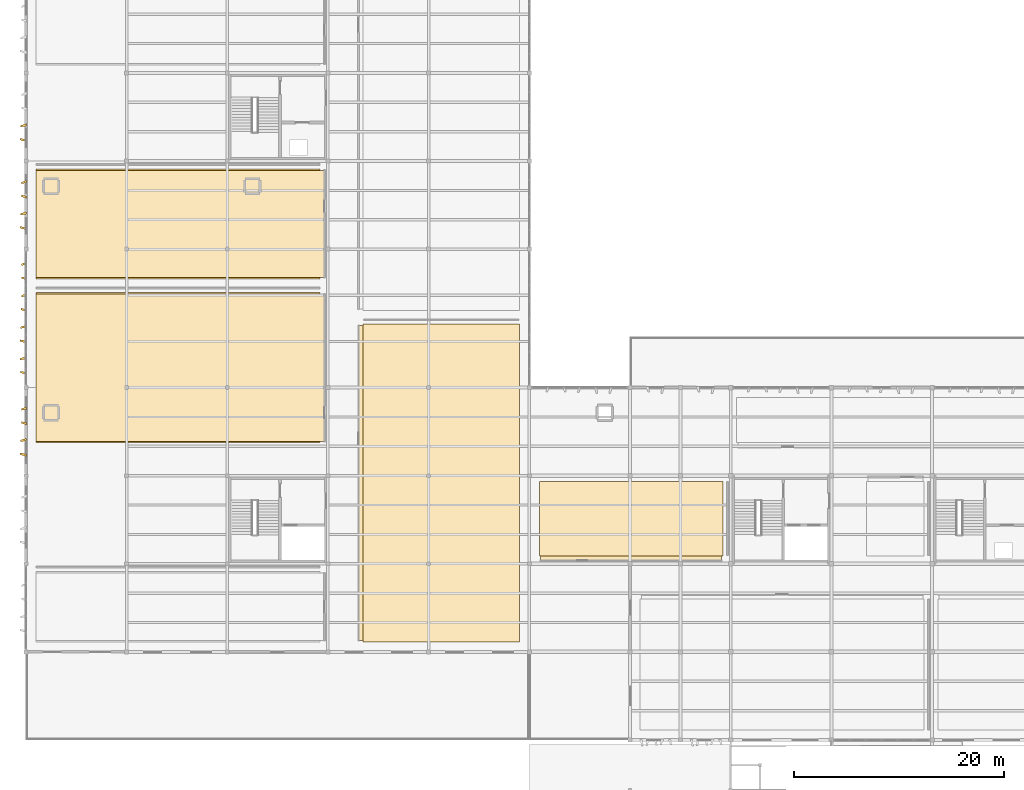
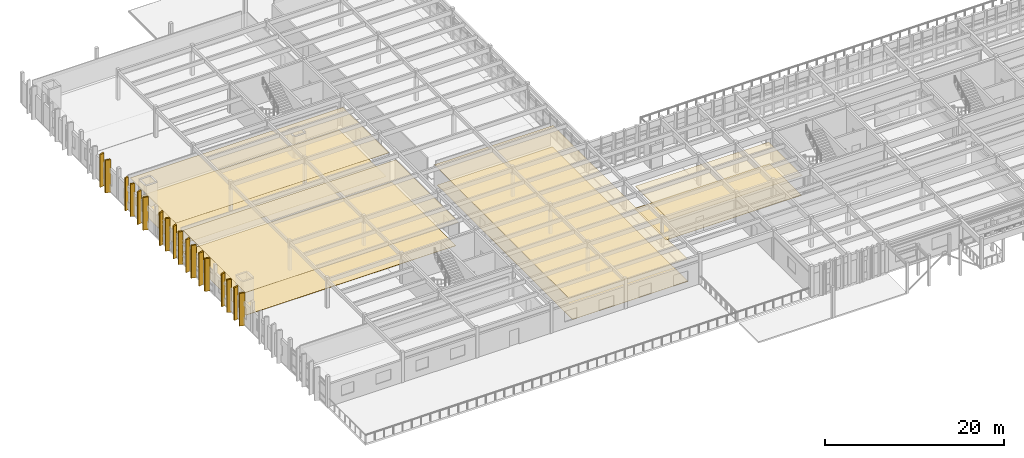
# One storey, part 51 of 61: 26 coverings.
"""IFC4 building model written with IfcOpenShell, lengths in metres."""

from ifc_helpers import new_model, si_unit, direction, frame, origin, place, context, subcontext, project, spatial, polyline, outline, extrude, material, layer, layer_set, type_object, element, save


model = new_model("IFC4")

# Units and contexts
model_context = context("Model", 3, precision=1e-05, world=origin(), true_north=direction((0.0, 1.0)))
body_context = subcontext(model_context, "Body", "Model", "MODEL_VIEW")
ifc_project = project(units=[si_unit("LENGTHUNIT", "METRE"), si_unit("AREAUNIT", "SQUARE_METRE"), si_unit("VOLUMEUNIT", "CUBIC_METRE"), si_unit("PLANEANGLEUNIT", "RADIAN"), si_unit("MASSUNIT", "GRAM", prefix="KILO")], contexts=[model_context])

# Site, building, storey
site_placement = place(None, origin())
site = spatial("IfcSite", under=ifc_project, at=site_placement, CompositionType="ELEMENT")
building_placement = place(site_placement, origin())
building = spatial("IfcBuilding", under=site, at=building_placement, Name="Kolvemor Railside Polytechnic", CompositionType="ELEMENT")
storey_placement = place(building_placement, frame((0.0, 0.0, 10.199951171875)))
storey = spatial("IfcBuildingStorey", under=building, at=storey_placement, Name="L02", CompositionType="ELEMENT", Elevation=10.199951171875)

# Coverings
ifc_material_1 = material(Name="Perforated acoustic mineral-fibre and timber-slat ceiling", Category="wood")
ifc_layer_1 = layer(ifc_material_1, 0.02490234375, Name="COV-CEIL-1")
ifc_layer_set_1 = layer_set([ifc_layer_1], Name="Perforated acoustic mineral-fibre and timber-slat ceiling")
covering_type_1 = type_object("IfcCoveringType", Name="COV-CEIL-1", PredefinedType="CEILING", material=ifc_layer_set_1)
covering_1_placement = place(storey_placement, frame((0.0, 0.0, 3.005126953125)))
element("IfcCovering", 1, at=covering_1_placement, inside=storey, type_object=covering_type_1, Name="Seminar Room 203 Acoustic Ceiling", PredefinedType="CEILING", context=body_context, shape_type="SweptSolid", body=[
    extrude(outline(polyline([(0.949951171875, 48.8798828125), (28.47998046875, 48.8798828125), (28.47998046875, 59.1201171875), (0.949951171875, 59.1201171875), (0.949951171875, 48.8798828125)])), origin(), (0.0, 0.0, 1.0), 0.02490234375),
])
ifc_material_2 = material(Name="Perforated acoustic mineral-fibre and timber-slat ceiling", Category="wood")
ifc_layer_2 = layer(ifc_material_2, 0.030029296875, Name="COV-CEIL-2")
ifc_layer_set_2 = layer_set([ifc_layer_2], Name="Perforated acoustic mineral-fibre and timber-slat ceiling")
covering_type_2 = type_object("IfcCoveringType", Name="COV-CEIL-2", PredefinedType="CEILING", material=ifc_layer_set_2)
covering_2_placement = place(storey_placement, frame((0.0, 0.0, 3.0)))
element("IfcCovering", 2, at=covering_2_placement, inside=storey, type_object=covering_type_2, Name="Urbanism and Coastal Planning Design Studio Acoustic Ceiling", PredefinedType="CEILING", context=body_context, shape_type="SweptSolid", body=[
    extrude(outline(polyline([(31.719970703125, 14.280029296875), (47.050048828125, 14.280029296875), (47.050048828125, 44.320068359375), (31.719970703125, 44.320068359375), (31.719970703125, 14.280029296875)])), origin(), (0.0, 0.0, 1.0), 0.030029296875),
])
ifc_material_3 = material(Name="Perforated acoustic mineral-fibre and timber-slat ceiling", Category="wood")
ifc_layer_3 = layer(ifc_material_3, 0.0400390625, Name="COV-CEIL-4")
ifc_layer_set_3 = layer_set([ifc_layer_3], Name="Perforated acoustic mineral-fibre and timber-slat ceiling")
covering_type_3 = type_object("IfcCoveringType", Name="COV-CEIL-4", PredefinedType="CEILING", material=ifc_layer_set_3)
covering_3_placement = place(storey_placement, frame((0.0, 0.0, 2.989990234375)))
element("IfcCovering", 3, at=covering_3_placement, inside=storey, type_object=covering_type_3, Name="Seminar Room 202 Acoustic Ceiling", PredefinedType="CEILING", context=body_context, shape_type="SweptSolid", body=[
    extrude(outline(polyline([(0.949951171875, 33.280029296875), (28.47998046875, 33.280029296875), (28.47998046875, 47.320068359375), (0.949951171875, 47.320068359375), (0.949951171875, 33.280029296875)])), origin(), (0.0, 0.0, 1.0), 0.0400390625),
])
covering_4_placement = place(storey_placement, frame((0.0, 0.0, 2.989990234375)))
element("IfcCovering", 4, at=covering_4_placement, inside=storey, type_object=covering_type_3, Name="Faculty of Civil Engineering Department Suite Acoustic Ceiling", PredefinedType="CEILING", context=body_context, shape_type="SweptSolid", body=[
    extrude(outline(polyline([(49.080078125, 21.919921875), (66.320068359375, 21.919921875), (66.320068359375, 29.449951171875), (49.080078125, 29.449951171875), (49.080078125, 21.919921875)])), origin(), (0.0, 0.0, 1.0), 0.0400390625),
])
ifc_material_4 = material(Name="Champagne-bronze PVDF-anodised marine aluminium 5052-H32", Category="aluminium")
ifc_layer_4 = layer(ifc_material_4, 0.179931640625, Name="COV-FIN-CHAMP")
ifc_layer_set_4 = layer_set([ifc_layer_4], Name="Champagne-bronze PVDF-anodised marine aluminium 5052-H32")
covering_type_4 = type_object("IfcCoveringType", Name="COV-FIN-CHAMP", PredefinedType="CLADDING", material=ifc_layer_set_4)
covering_5_placement = place(storey_placement, frame((0.0, 0.0, -0.280029296875)))
element("IfcCovering", 5, at=covering_5_placement, inside=storey, type_object=covering_type_4, Name="Pleated Solar Fin L02-0126", PredefinedType="CLADDING", context=body_context, shape_type="SweptSolid", body=[
    extrude(outline(polyline([(0.034912109375, 31.8349609375), (0.034912109375, 32.06494140625), (-0.56396484375, 32.169921875), (-0.56396484375, 32.010009765625), (0.034912109375, 31.8349609375)])), origin(), (0.0, 0.0, 1.0), 4.47998046875),
])
covering_6_placement = place(storey_placement, frame((0.0, 0.0, -0.280029296875)))
element("IfcCovering", 6, at=covering_6_placement, inside=storey, type_object=covering_type_4, Name="Pleated Solar Fin L02-0127", PredefinedType="CLADDING", context=body_context, shape_type="SweptSolid", body=[
    extrude(outline(polyline([(0.034912109375, 33.3349609375), (0.034912109375, 33.56494140625), (-0.528076171875, 33.389892578125), (-0.528076171875, 33.22998046875), (0.034912109375, 33.3349609375)])), origin(), (0.0, 0.0, 1.0), 4.47998046875),
])
covering_7_placement = place(storey_placement, frame((0.0, 0.0, -0.280029296875)))
element("IfcCovering", 7, at=covering_7_placement, inside=storey, type_object=covering_type_4, Name="Pleated Solar Fin L02-0128", PredefinedType="CLADDING", context=body_context, shape_type="SweptSolid", body=[
    extrude(outline(polyline([(0.034912109375, 34.8349609375), (0.034912109375, 35.06494140625), (-0.44189453125, 35.169921875), (-0.44189453125, 35.010009765625), (0.034912109375, 34.8349609375)])), origin(), (0.0, 0.0, 1.0), 4.47998046875),
])
covering_8_placement = place(storey_placement, frame((0.0, 0.0, -0.280029296875)))
element("IfcCovering", 8, at=covering_8_placement, inside=storey, type_object=covering_type_4, Name="Pleated Solar Fin L02-0129", PredefinedType="CLADDING", context=body_context, shape_type="SweptSolid", body=[
    extrude(outline(polyline([(0.034912109375, 36.3349609375), (0.034912109375, 36.56494140625), (-0.406005859375, 36.389892578125), (-0.406005859375, 36.22998046875), (0.034912109375, 36.3349609375)])), origin(), (0.0, 0.0, 1.0), 4.47998046875),
])
covering_9_placement = place(storey_placement, frame((0.0, 0.0, -0.280029296875)))
element("IfcCovering", 9, at=covering_9_placement, inside=storey, type_object=covering_type_4, Name="Pleated Solar Fin L02-0155", PredefinedType="CLADDING", context=body_context, shape_type="SweptSolid", body=[
    extrude(outline(polyline([(0.034912109375, 39.635009765625), (0.034912109375, 39.864990234375), (-0.532958984375, 39.969970703125), (-0.532958984375, 39.81005859375), (0.034912109375, 39.635009765625)])), origin(), (0.0, 0.0, 1.0), 4.47998046875),
])
covering_10_placement = place(storey_placement, frame((0.0, 0.0, -0.280029296875)))
element("IfcCovering", 10, at=covering_10_placement, inside=storey, type_object=covering_type_4, Name="Pleated Solar Fin L02-0156", PredefinedType="CLADDING", context=body_context, shape_type="SweptSolid", body=[
    extrude(outline(polyline([(0.034912109375, 41.135009765625), (0.034912109375, 41.364990234375), (-0.56298828125, 41.18994140625), (-0.56298828125, 41.030029296875), (0.034912109375, 41.135009765625)])), origin(), (0.0, 0.0, 1.0), 4.47998046875),
])
covering_11_placement = place(storey_placement, frame((0.0, 0.0, -0.280029296875)))
element("IfcCovering", 11, at=covering_11_placement, inside=storey, type_object=covering_type_4, Name="Pleated Solar Fin L02-0157", PredefinedType="CLADDING", context=body_context, shape_type="SweptSolid", body=[
    extrude(outline(polyline([(0.034912109375, 42.635009765625), (0.034912109375, 42.864990234375), (-0.554931640625, 42.969970703125), (-0.554931640625, 42.81005859375), (0.034912109375, 42.635009765625)])), origin(), (0.0, 0.0, 1.0), 4.47998046875),
])
covering_12_placement = place(storey_placement, frame((0.0, 0.0, -0.280029296875)))
element("IfcCovering", 12, at=covering_12_placement, inside=storey, type_object=covering_type_4, Name="Pleated Solar Fin L02-0158", PredefinedType="CLADDING", context=body_context, shape_type="SweptSolid", body=[
    extrude(outline(polyline([(0.034912109375, 44.135009765625), (0.034912109375, 44.364990234375), (-0.512939453125, 44.18994140625), (-0.512939453125, 44.030029296875), (0.034912109375, 44.135009765625)])), origin(), (0.0, 0.0, 1.0), 4.47998046875),
])
covering_13_placement = place(storey_placement, frame((0.0, 0.0, -0.280029296875)))
element("IfcCovering", 13, at=covering_13_placement, inside=storey, type_object=covering_type_4, Name="Pleated Solar Fin L02-0159", PredefinedType="CLADDING", context=body_context, shape_type="SweptSolid", body=[
    extrude(outline(polyline([(0.034912109375, 45.635009765625), (0.034912109375, 45.864990234375), (-0.45703125, 45.969970703125), (-0.45703125, 45.81005859375), (0.034912109375, 45.635009765625)])), origin(), (0.0, 0.0, 1.0), 4.47998046875),
])
covering_14_placement = place(storey_placement, frame((0.0, 0.0, -0.280029296875)))
element("IfcCovering", 14, at=covering_14_placement, inside=storey, type_object=covering_type_4, Name="Pleated Solar Fin L02-0160", PredefinedType="CLADDING", context=body_context, shape_type="SweptSolid", body=[
    extrude(outline(polyline([(0.034912109375, 47.135009765625), (0.034912109375, 47.364990234375), (-0.4150390625, 47.18994140625), (-0.4150390625, 47.030029296875), (0.034912109375, 47.135009765625)])), origin(), (0.0, 0.0, 1.0), 4.47998046875),
])
covering_15_placement = place(storey_placement, frame((0.0, 0.0, -0.280029296875)))
element("IfcCovering", 15, at=covering_15_placement, inside=storey, type_object=covering_type_4, Name="Pleated Solar Fin L02-0161", PredefinedType="CLADDING", context=body_context, shape_type="SweptSolid", body=[
    extrude(outline(polyline([(0.034912109375, 48.635009765625), (0.034912109375, 48.864990234375), (-0.406982421875, 48.969970703125), (-0.406982421875, 48.81005859375), (0.034912109375, 48.635009765625)])), origin(), (0.0, 0.0, 1.0), 4.47998046875),
])
covering_16_placement = place(storey_placement, frame((0.0, 0.0, -0.280029296875)))
element("IfcCovering", 16, at=covering_16_placement, inside=storey, type_object=covering_type_4, Name="Pleated Solar Fin L02-0162", PredefinedType="CLADDING", context=body_context, shape_type="SweptSolid", body=[
    extrude(outline(polyline([(0.034912109375, 50.135009765625), (0.034912109375, 50.364990234375), (-0.43701171875, 50.18994140625), (-0.43701171875, 50.030029296875), (0.034912109375, 50.135009765625)])), origin(), (0.0, 0.0, 1.0), 4.47998046875),
])
covering_17_placement = place(storey_placement, frame((0.0, 0.0, -0.280029296875)))
element("IfcCovering", 17, at=covering_17_placement, inside=storey, type_object=covering_type_4, Name="Pleated Solar Fin L02-0199", PredefinedType="CLADDING", context=body_context, shape_type="SweptSolid", body=[
    extrude(outline(polyline([(0.034912109375, 53.43505859375), (0.034912109375, 53.6650390625), (-0.56396484375, 53.77001953125), (-0.56396484375, 53.610107421875), (0.034912109375, 53.43505859375)])), origin(), (0.0, 0.0, 1.0), 4.47998046875),
])
covering_18_placement = place(storey_placement, frame((0.0, 0.0, -0.280029296875)))
element("IfcCovering", 18, at=covering_18_placement, inside=storey, type_object=covering_type_4, Name="Pleated Solar Fin L02-0200", PredefinedType="CLADDING", context=body_context, shape_type="SweptSolid", body=[
    extrude(outline(polyline([(0.034912109375, 54.93505859375), (0.034912109375, 55.1650390625), (-0.528076171875, 54.989990234375), (-0.528076171875, 54.830078125), (0.034912109375, 54.93505859375)])), origin(), (0.0, 0.0, 1.0), 4.47998046875),
])
covering_19_placement = place(storey_placement, frame((0.0, 0.0, -0.280029296875)))
element("IfcCovering", 19, at=covering_19_placement, inside=storey, type_object=covering_type_4, Name="Pleated Solar Fin L02-0201", PredefinedType="CLADDING", context=body_context, shape_type="SweptSolid", body=[
    extrude(outline(polyline([(0.034912109375, 56.43505859375), (0.034912109375, 56.6650390625), (-0.44189453125, 56.77001953125), (-0.44189453125, 56.610107421875), (0.034912109375, 56.43505859375)])), origin(), (0.0, 0.0, 1.0), 4.47998046875),
])
covering_20_placement = place(storey_placement, frame((0.0, 0.0, -0.280029296875)))
element("IfcCovering", 20, at=covering_20_placement, inside=storey, type_object=covering_type_4, Name="Pleated Solar Fin L02-0202", PredefinedType="CLADDING", context=body_context, shape_type="SweptSolid", body=[
    extrude(outline(polyline([(0.034912109375, 57.93505859375), (0.034912109375, 58.1650390625), (-0.406005859375, 57.989990234375), (-0.406005859375, 57.830078125), (0.034912109375, 57.93505859375)])), origin(), (0.0, 0.0, 1.0), 4.47998046875),
])
covering_21_placement = place(storey_placement, frame((0.0, 0.0, -0.280029296875)))
element("IfcCovering", 21, at=covering_21_placement, inside=storey, type_object=covering_type_4, Name="Pleated Solar Fin L02-0224", PredefinedType="CLADDING", context=body_context, shape_type="SweptSolid", body=[
    extrude(outline(polyline([(0.034912109375, 61.8349609375), (0.034912109375, 62.06494140625), (-0.56396484375, 62.169921875), (-0.56396484375, 62.010009765625), (0.034912109375, 61.8349609375)])), origin(), (0.0, 0.0, 1.0), 4.47998046875),
])
covering_22_placement = place(storey_placement, frame((0.0, 0.0, -0.280029296875)))
element("IfcCovering", 22, at=covering_22_placement, inside=storey, type_object=covering_type_4, Name="Pleated Solar Fin L02-0225", PredefinedType="CLADDING", context=body_context, shape_type="SweptSolid", body=[
    extrude(outline(polyline([(0.034912109375, 63.3349609375), (0.034912109375, 63.56494140625), (-0.528076171875, 63.389892578125), (-0.528076171875, 63.22998046875), (0.034912109375, 63.3349609375)])), origin(), (0.0, 0.0, 1.0), 4.47998046875),
])
ifc_material_5 = material(Name="Polished coral-aggregate terrazzo and laboratory epoxy flooring")
ifc_layer_5 = layer(ifc_material_5, 0.02001953125, Name="COV-FLR-1")
ifc_layer_set_5 = layer_set([ifc_layer_5], Name="Polished coral-aggregate terrazzo and laboratory epoxy flooring")
covering_type_5 = type_object("IfcCoveringType", Name="COV-FLR-1", PredefinedType="FLOORING", material=ifc_layer_set_5)
covering_23_placement = place(storey_placement, origin())
element("IfcCovering", 23, at=covering_23_placement, inside=storey, type_object=covering_type_5, Name="Seminar Room 203 Floor Finish", PredefinedType="FLOORING", context=body_context, shape_type="SweptSolid", body=[
    extrude(outline(polyline([(0.949951171875, 48.75), (28.050048828125, 48.75), (28.050048828125, 59.25), (0.949951171875, 59.25), (0.949951171875, 48.75)])), origin(), (0.0, 0.0, 1.0), 0.02001953125),
])
ifc_material_6 = material(Name="Polished coral-aggregate terrazzo and laboratory epoxy flooring")
ifc_layer_6 = layer(ifc_material_6, 0.02490234375, Name="COV-FLR-2")
ifc_layer_set_6 = layer_set([ifc_layer_6], Name="Polished coral-aggregate terrazzo and laboratory epoxy flooring")
covering_type_6 = type_object("IfcCoveringType", Name="COV-FLR-2", PredefinedType="FLOORING", material=ifc_layer_set_6)
covering_24_placement = place(storey_placement, origin())
element("IfcCovering", 24, at=covering_24_placement, inside=storey, type_object=covering_type_6, Name="Urbanism and Coastal Planning Design Studio Floor Finish", PredefinedType="FLOORING", context=body_context, shape_type="SweptSolid", body=[
    extrude(outline(polyline([(32.14990234375, 14.14990234375), (47.050048828125, 14.14990234375), (47.050048828125, 44.449951171875), (32.14990234375, 44.449951171875), (32.14990234375, 14.14990234375)])), origin(), (0.0, 0.0, 1.0), 0.025146484375),
])
ifc_material_7 = material(Name="Polished coral-aggregate terrazzo and laboratory epoxy flooring")
ifc_layer_7 = layer(ifc_material_7, 0.034912109375, Name="COV-FLR-4")
ifc_layer_set_7 = layer_set([ifc_layer_7], Name="Polished coral-aggregate terrazzo and laboratory epoxy flooring")
covering_type_7 = type_object("IfcCoveringType", Name="COV-FLR-4", PredefinedType="FLOORING", material=ifc_layer_set_7)
covering_25_placement = place(storey_placement, origin())
element("IfcCovering", 25, at=covering_25_placement, inside=storey, type_object=covering_type_7, Name="Seminar Room 202 Floor Finish", PredefinedType="FLOORING", context=body_context, shape_type="SweptSolid", body=[
    extrude(outline(polyline([(0.949951171875, 33.14990234375), (28.050048828125, 33.14990234375), (28.050048828125, 47.449951171875), (0.949951171875, 47.449951171875), (0.949951171875, 33.14990234375)])), origin(), (0.0, 0.0, 1.0), 0.03515625),
])
covering_26_placement = place(storey_placement, origin())
element("IfcCovering", 26, at=covering_26_placement, inside=storey, type_object=covering_type_7, Name="Faculty of Civil Engineering Department Suite Floor Finish", PredefinedType="FLOORING", context=body_context, shape_type="SweptSolid", body=[
    extrude(outline(polyline([(48.949951171875, 22.35009765625), (66.449951171875, 22.35009765625), (66.449951171875, 29.449951171875), (48.949951171875, 29.449951171875), (48.949951171875, 22.35009765625)])), origin(), (0.0, 0.0, 1.0), 0.03515625),
])

save(model, "model.ifc")
